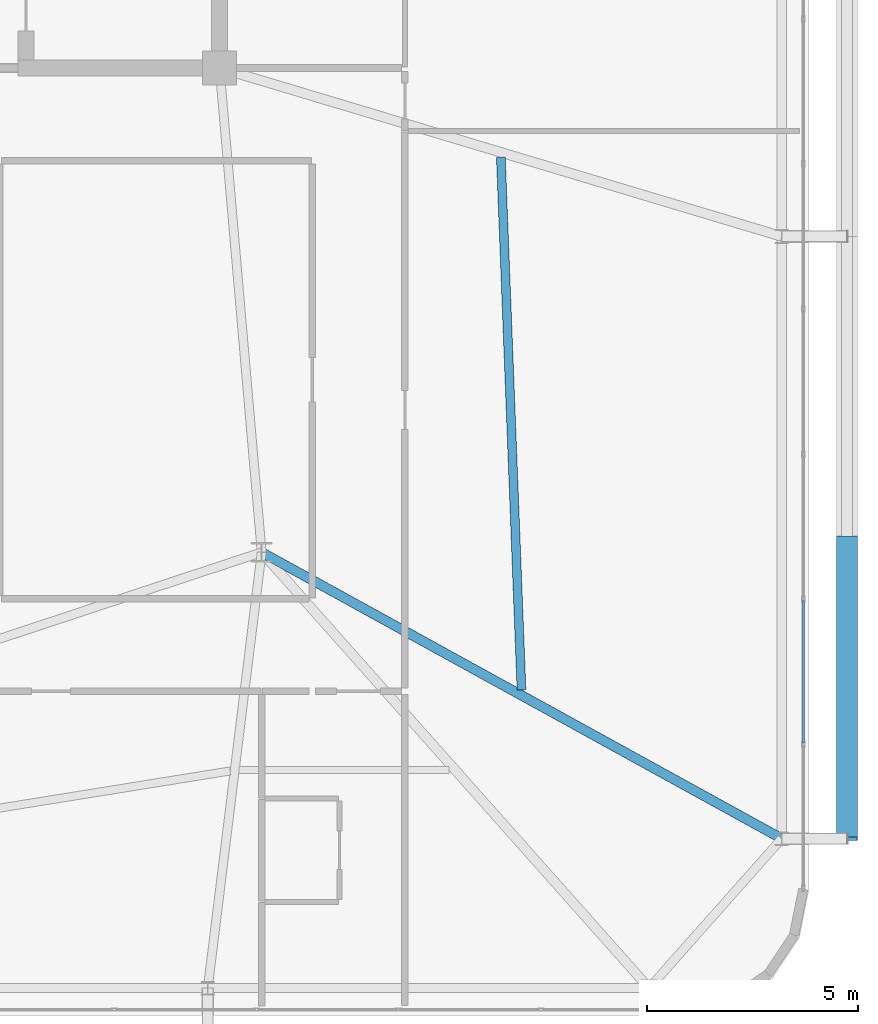
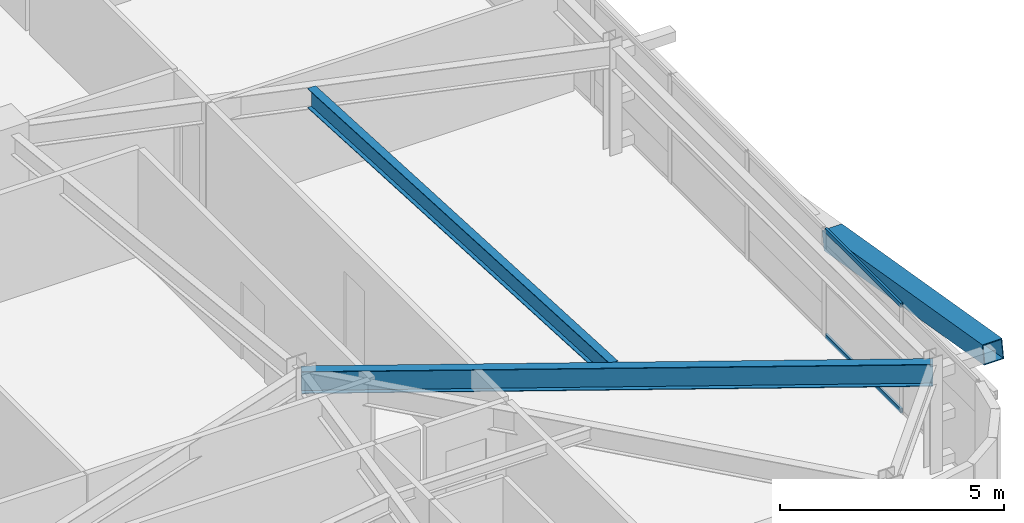
# One storey, part 25 of 58: 3 members, 2 beams, 1 element without a shape of its own.
"""IFC4 building model written with IfcOpenShell, lengths in metres."""

from ifc_helpers import new_model, si_unit, direction, frame, origin, origin_2d, place, context, subcontext, project, spatial, hollow_rectangle, i_section, extrude, source, transform, mapped, material, layer, layer_set, material_profile, profile_set, type_object, element, aggregate, save


model = new_model("IFC4")

# Units and contexts
model_context = context("Model", 3, precision=1e-05, world=origin(), true_north=direction((0.0, 1.0)))
body_context = subcontext(model_context, "Body", "Model", "MODEL_VIEW")
ifc_project = project(units=[si_unit("LENGTHUNIT", "METRE"), si_unit("AREAUNIT", "SQUARE_METRE"), si_unit("VOLUMEUNIT", "CUBIC_METRE"), si_unit("PLANEANGLEUNIT", "RADIAN"), si_unit("MASSUNIT", "GRAM", prefix="KILO")], contexts=[model_context])

# Site, building, storey
site_placement = place(None, origin())
site = spatial("IfcSite", under=ifc_project, at=site_placement, CompositionType="ELEMENT")
building_placement = place(site_placement, origin())
building = spatial("IfcBuilding", under=site, at=building_placement, Name="Taldren Reach Tower", CompositionType="ELEMENT")
storey_placement = place(building_placement, frame((0.0, 0.0, 32.550048828125)))
storey = spatial("IfcBuildingStorey", under=building, at=storey_placement, Name="L09", CompositionType="ELEMENT", Elevation=32.550048828125)

# Beams
ifc_material_1 = material(Name="Steel Gr 350 (350PLUS)", Category="steel")
ifc_material_profile_1 = material_profile(ifc_material_1, i_section(OverallWidth=0.22802734375, OverallDepth=0.60205078125, WebThickness=0.010498046875, FlangeThickness=0.014892578125, at=origin_2d()), Name="610UB101")
ifc_profile_set_1 = profile_set([ifc_material_profile_1], Name="Steel Gr 350 (350PLUS)")
beam_type_1 = type_object("IfcBeamType", Name="BM-UB610B", PredefinedType="BEAM", material=ifc_profile_set_1)
shared_shape_1 = source(origin(), body_context, "Body", "SweptSolid", [
    extrude(i_section(OverallWidth=0.22802734375, OverallDepth=0.60205078125, WebThickness=0.010498046875, FlangeThickness=0.014892578125, at=origin_2d()), origin(), (0.0, 0.0, 1.0), 14.098388671875),
])
beam_1_placement = place(storey_placement, frame((52.0, 12.5, 2.62890625), z_axis=(0.875991325783, -0.482326857175, 0.0), x_axis=(0.482326857175, 0.875991325783, 0.0)))
element("IfcBeam", 1, at=beam_1_placement, inside=storey, type_object=beam_type_1, Name="Primary floor girder B1-E1 L09", PredefinedType="BEAM", context=body_context, shape_type="MappedRepresentation", body=[
    mapped(shared_shape_1, transform((0.0, 0.0, 0.0), scale=1.0)),
])
ifc_material_profile_2 = material_profile(ifc_material_1, i_section(OverallWidth=0.208984375, OverallDepth=0.532958984375, WebThickness=0.01025390625, FlangeThickness=0.015625, at=origin_2d()), Name="530UB92.4")
ifc_profile_set_2 = profile_set([ifc_material_profile_2], Name="Steel Gr 350 (350PLUS)")
beam_type_2 = type_object("IfcBeamType", Name="BM-UB530A", PredefinedType="BEAM", material=ifc_profile_set_2)
shared_shape_2 = source(origin(), body_context, "Body", "SweptSolid", [
    extrude(i_section(OverallWidth=0.208984375, OverallDepth=0.532958984375, WebThickness=0.01025390625, FlangeThickness=0.015625, at=origin_2d()), origin(), (0.0, 0.0, 1.0), 12.65625),
])
beam_2_placement = place(storey_placement, frame((58.169921875, 9.23291015625, 2.663330078125), z_axis=(-0.0387346395, 0.99924953225, 0.0), x_axis=(-0.99924953225, -0.0387346395, 0.0)))
element("IfcBeam", 2, at=beam_2_placement, inside=storey, type_object=beam_type_2, Name="Secondary floor beam B1 J7 L09", PredefinedType="BEAM", context=body_context, shape_type="MappedRepresentation", body=[
    mapped(shared_shape_2, transform((0.0, 0.0, 0.0), scale=1.0)),
])

# Member
ifc_material_2 = material(Name="Steel Gr 450 (C450L0)", Category="steel")
ifc_material_profile_3 = material_profile(ifc_material_2, hollow_rectangle(XDim=0.510009765625, YDim=0.510009765625, WallThickness=0.02001953125, at=origin_2d()), Name="510x510x20.0SHS")
ifc_profile_set_3 = profile_set([ifc_material_profile_3], Name="Steel Gr 450 (C450L0)")
member_type_1 = type_object("IfcMemberType", Name="MB-EXO508", PredefinedType="BRACE", material=ifc_profile_set_3)
shared_shape_3 = source(origin(), body_context, "Body", "SweptSolid", [
    extrude(hollow_rectangle(XDim=0.510009765625, YDim=0.510009765625, WallThickness=0.02001953125, at=origin_2d()), origin(), (0.0, 0.0, 1.0), 7.252685546875),
])
member_1_placement = place(storey_placement, frame((65.89990234375, 12.85009765625, 1.43505859375), z_axis=(0.0, -0.985871360071, 0.167504213054), x_axis=(1.0, 0.0, 0.0)))
element("IfcMember", 3, at=member_1_placement, inside=storey, type_object=member_type_1, Name="Exoskeleton Diagrid Brace B1-E1 L09", PredefinedType="BRACE", context=body_context, shape_type="MappedRepresentation", body=[
    mapped(shared_shape_3, transform((0.0, 0.0, 0.0), scale=1.0)),
])

# Curtain wall, members
ifc_material_3 = material(Name="Aluminium and Low-E Glass Unitised System", Category="aluminium")
ifc_layer = layer(ifc_material_3, 0.159912109375)
ifc_layer_set = layer_set([ifc_layer], Name="Aluminium and Low-E Glass Unitised System")
curtain_wall_type = type_object("IfcCurtainWallType", Name="CW-SYS-2", PredefinedType="NOTDEFINED", material=ifc_layer_set)
curtain_wall_placement = place(storey_placement, origin())
curtain_wall = element("IfcCurtainWall", 4, at=curtain_wall_placement, inside=storey, type_object=curtain_wall_type, Name="Unitised curtain wall CW-L09-E", PredefinedType="NOTDEFINED")
ifc_material_4 = material(Name="Anodised Aluminium 6063-T6", Category="aluminium")
ifc_material_profile_4 = material_profile(ifc_material_4, hollow_rectangle(XDim=0.054931640625, YDim=0.1201171875, WallThickness=0.0029296875, at=origin_2d()), Name="ALU-120x55x3RHS")
ifc_profile_set_4 = profile_set([ifc_material_profile_4], Name="Anodised Aluminium 6063-T6")
member_type_2 = type_object("IfcMemberType", Name="CW-TRN-135", PredefinedType="USERDEFINED", material=ifc_profile_set_4)
shared_shape_4 = source(origin(), body_context, "Body", "SweptSolid", [
    extrude(hollow_rectangle(XDim=0.054931640625, YDim=0.1201171875, WallThickness=0.0029296875, at=origin_2d()), origin(), (0.0, 0.0, 1.0), 3.37939453125),
])
member_2_placement = place(storey_placement, frame((64.860107421875, 7.97705078125, 0.02734375), z_axis=(0.0, 1.0, 0.0), x_axis=(-1.0, 0.0, 0.0)))
member_2 = element("IfcMember", 5, at=member_2_placement, type_object=member_type_2, Name="CW-2 transom 2.1", ObjectType="TRANSOM", PredefinedType="USERDEFINED", context=body_context, shape_type="MappedRepresentation", body=[
    mapped(shared_shape_4, transform((0.0, 0.0, 0.0), scale=1.0)),
])
member_3_placement = place(storey_placement, frame((64.860107421875, 7.97705078125, 2.90234375), z_axis=(0.0, 1.0, 0.0), x_axis=(-1.0, 0.0, 0.0)))
member_3 = element("IfcMember", 6, at=member_3_placement, type_object=member_type_2, Name="CW-2 transom 2.2", ObjectType="TRANSOM", PredefinedType="USERDEFINED", context=body_context, shape_type="MappedRepresentation", body=[
    mapped(shared_shape_4, transform((0.0, 0.0, 0.0), scale=1.0)),
])
aggregate(curtain_wall, [member_2, member_3])

save(model, "model.ifc")
